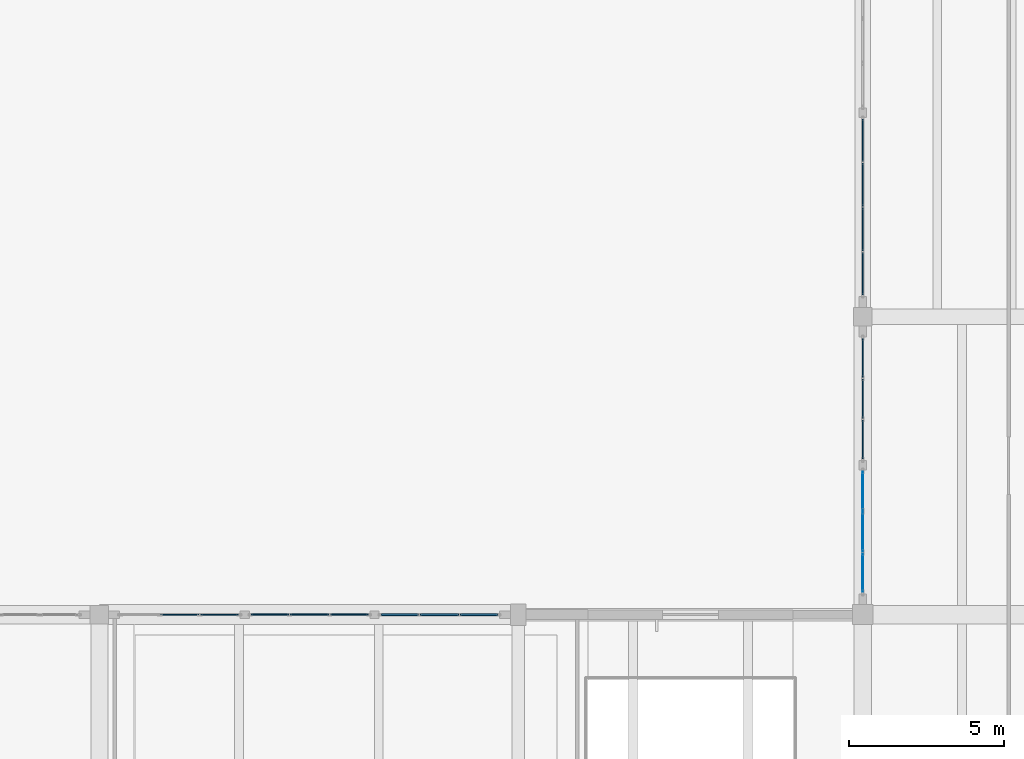
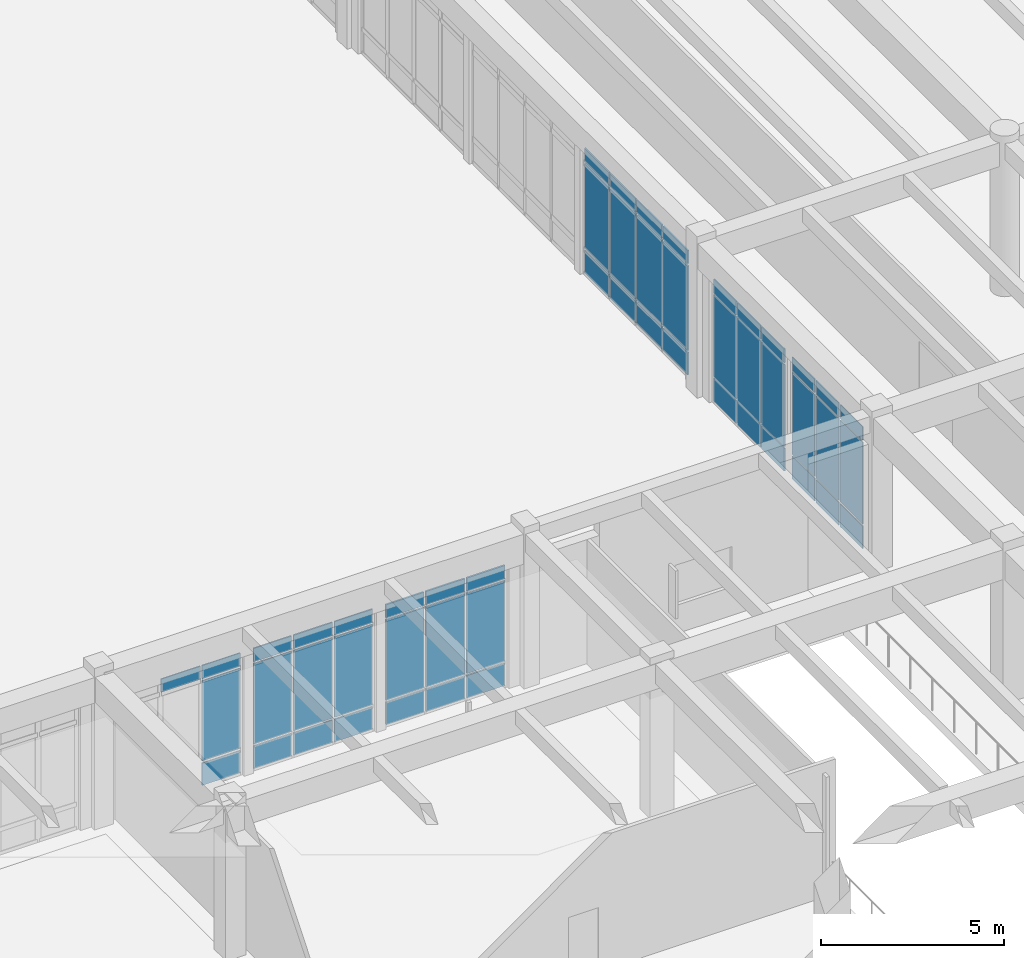
# One storey, part 92 of 138: 52 plates, 6 elements without a shape of their own.
"""IFC4 building model written with IfcOpenShell, lengths in metres."""

import ifcopenshell
import ifcopenshell.guid

model = None  # the IFC model being written
_history = None  # IfcOwnerHistory: only IFC2X3 demands one
_inside = {}  # id of a spatial element -> (the spatial element, [elements in it])
_under = {}  # id of a project, library or spatial element -> (it, [spatial elements below it])
_declared = {}  # id of a project -> (the project, [libraries it declares])
_typed = {}  # id of a type object -> (the type object, [elements of that type])
_made_of = {}  # id of a material, layer set ... -> (it, [elements and type objects made of it])


def new_model(schema):
    """Start an empty IFC model of exactly this schema.

    Asked for "IFC4X3", IfcOpenShell would pick the latest addendum, in which some entities
    have other attributes; the version numbers below select the first issue.
    IFC2X3 requires an IfcOwnerHistory on every rooted entity: one is made here for all.
    """
    global model, _history
    if schema == "IFC4X3":
        model = ifcopenshell.file(schema_version=(4, 3, 0, 0))
    else:
        model = ifcopenshell.file(schema=schema)
    _inside.clear()
    _under.clear()
    _declared.clear()
    _typed.clear()
    _made_of.clear()
    _history = None
    if model.schema == "IFC2X3":
        org = make("IfcOrganization", Name="unknown")
        user = make(
            "IfcPersonAndOrganization",
            ThePerson=make("IfcPerson", FamilyName="unknown"),
            TheOrganization=org,
        )
        app = make(
            "IfcApplication",
            ApplicationDeveloper=org,
            Version="unknown",
            ApplicationFullName="unknown",
            ApplicationIdentifier="unknown",
        )
        _history = make(
            "IfcOwnerHistory",
            OwningUser=user,
            OwningApplication=app,
            ChangeAction="ADDED",
            CreationDate=0,
        )
    return model


def make(cls, **values):
    """One entity of the class cls with the attributes given. An attribute that is None is left unset."""
    return model.create_entity(
        cls, **{name: value for name, value in values.items() if value is not None}
    )


def rooted(cls, **values):
    """An entity with a GlobalId (a new one), such as an element, a storey or a relation."""
    return make(cls, GlobalId=ifcopenshell.guid.new(), OwnerHistory=_history, **values)


def si_unit(unit_type, name, prefix=None):
    """IfcSIUnit, for example si_unit("LENGTHUNIT", "METRE", prefix="MILLI")."""
    return make("IfcSIUnit", UnitType=unit_type, Prefix=prefix, Name=name)


def assignment(units):
    """IfcUnitAssignment: the units of a project."""
    return None if units is None else make("IfcUnitAssignment", Units=units)


def point(xyz):
    """IfcCartesianPoint."""
    return None if xyz is None else make("IfcCartesianPoint", Coordinates=xyz)


def direction(xyz):
    """IfcDirection."""
    return None if xyz is None else make("IfcDirection", DirectionRatios=xyz)


def frame(location, z_axis=None, x_axis=None):
    """IfcAxis2Placement3D, a coordinate frame: its origin and axes. An axis left out is left unset."""
    return make(
        "IfcAxis2Placement3D",
        Location=point(location),
        Axis=direction(z_axis),
        RefDirection=direction(x_axis),
    )


def frame_2d(location, x_axis=None):
    """IfcAxis2Placement2D, a coordinate frame in the plane: its origin and x axis."""
    return make(
        "IfcAxis2Placement2D", Location=point(location), RefDirection=direction(x_axis)
    )


def origin():
    """The frame at (0, 0, 0) with its axes left unset."""
    return frame((0.0, 0.0, 0.0))


def origin_2d():
    """The frame at (0, 0) in the plane with its x axis left unset."""
    return frame_2d((0.0, 0.0))


def place(relative_to, where):
    """IfcLocalPlacement: puts the frame where relative to a parent placement (None: the world)."""
    return make(
        "IfcLocalPlacement", PlacementRelTo=relative_to, RelativePlacement=where
    )


def context(
    kind, dimensions, precision=None, world=None, true_north=None, identifier=None
):
    """IfcGeometricRepresentationContext, for example the 3D "Model" context."""
    return make(
        "IfcGeometricRepresentationContext",
        ContextIdentifier=identifier,
        ContextType=kind,
        CoordinateSpaceDimension=dimensions,
        Precision=precision,
        WorldCoordinateSystem=world,
        TrueNorth=true_north,
    )


def subcontext(parent, identifier, kind, view, scale=None):
    """IfcGeometricRepresentationSubContext, for example "Body" below "Model"."""
    return make(
        "IfcGeometricRepresentationSubContext",
        ContextIdentifier=identifier,
        ContextType=kind,
        ParentContext=parent,
        TargetScale=scale,
        TargetView=view,
    )


def project(units=None, contexts=None):
    """IfcProject with its units and contexts."""
    return rooted(
        "IfcProject",
        Name="project",
        RepresentationContexts=contexts,
        UnitsInContext=assignment(units),
    )


def spatial(cls, under=None, at=None, **own):
    """A site, building, storey or space (cls), placed at a placement, below another one or the project."""
    s = rooted(cls, ObjectPlacement=at, **own)
    if under is not None:
        _under.setdefault(under.id(), (under, []))[1].append(s)
    return s


def profile(cls, at=None, kind="AREA", **sizes):
    """A parametric profile (cls). Its sizes go by their IFC names, for example OverallWidth=200.0."""
    return make(cls, ProfileType=kind, Position=at, **sizes)


def rectangle(**sizes):
    """IfcRectangleProfileDef."""
    return profile("IfcRectangleProfileDef", **sizes)


def extrude(swept, where, along, depth):
    """IfcExtrudedAreaSolid: the profile swept, set in the frame where, extruded along a direction by depth."""
    return make(
        "IfcExtrudedAreaSolid",
        SweptArea=swept,
        Position=where,
        ExtrudedDirection=direction(along),
        Depth=depth,
    )


def shape(context_of_items, identifier, shape_type, items):
    """IfcShapeRepresentation: the items that make up one representation, for example the "Body"."""
    return make(
        "IfcShapeRepresentation",
        ContextOfItems=context_of_items,
        RepresentationIdentifier=identifier,
        RepresentationType=shape_type,
        Items=items,
    )


def material(Name=None, Category=None):
    """IfcMaterial."""
    return make("IfcMaterial", Name=Name, Category=Category)


def layer(
    of_material, thickness, ventilated=None, Name=None, Category=None, Priority=None
):
    """IfcMaterialLayer: one layer of a wall or slab, of a material (None: an air gap)."""
    return make(
        "IfcMaterialLayer",
        Material=of_material,
        LayerThickness=thickness,
        IsVentilated=ventilated,
        Name=Name,
        Category=Category,
        Priority=Priority,
    )


def layer_set(layers, Name=None):
    """IfcMaterialLayerSet."""
    return make("IfcMaterialLayerSet", MaterialLayers=layers, LayerSetName=Name)


def made_of(thing, what):
    """Note that an element or type object is made of a material, layer set ...; save() writes the relation."""
    if what is not None:
        _made_of.setdefault(what.id(), (what, []))[1].append(thing)
    return thing


def type_object(cls, material=None, **own):
    """A type object (cls), such as IfcWallType, which elements share."""
    return made_of(rooted(cls, **own), material)


def element(
    cls,
    number,
    at=None,
    inside=None,
    cuts=None,
    type_object=None,
    material=None,
    context=None,
    identifier="Body",
    shape_type=None,
    held_by="IfcProductDefinitionShape",
    body=None,
    shapes=None,
    **own,
):
    """One element of the class cls, such as IfcWall. Its Tag is "e" and its number.

    at: its placement. inside: the storey or other place that contains it. cuts: it is an
    opening in that element (IfcRelVoidsElement). A single representation is given by context,
    identifier, shape_type and body (its items); several are given by shapes. held_by: the class
    of the entity that holds the representations. save() writes the other relations.
    """
    e = rooted(cls, Tag="e%d" % number, ObjectPlacement=at, **own)
    if body is not None:
        shapes = [shape(context, identifier, shape_type, body)]
    if shapes is not None:
        e.Representation = make(held_by, Representations=shapes)
    if inside is not None:
        _inside.setdefault(inside.id(), (inside, []))[1].append(e)
    if cuts is not None:
        rooted(
            "IfcRelVoidsElement", RelatingBuildingElement=cuts, RelatedOpeningElement=e
        )
    if type_object is not None:
        _typed.setdefault(type_object.id(), (type_object, []))[1].append(e)
    return made_of(e, material)


def aggregate(whole, parts):
    """IfcRelAggregates: a whole, such as a stair, and the parts it consists of."""
    return rooted("IfcRelAggregates", RelatingObject=whole, RelatedObjects=parts)


def save(model, path):
    """Write the relations noted so far, then the file.

    IfcRelAggregates (storeys below a building ...), IfcRelContainedInSpatialStructure (elements
    in a storey), IfcRelDefinesByType, IfcRelAssociatesMaterial and IfcRelDeclares: one each for
    every whole, place, type object, material and project.
    """
    for whole, parts in _under.values():
        aggregate(whole, parts)
    for where, things in _inside.values():
        rooted(
            "IfcRelContainedInSpatialStructure",
            RelatedElements=things,
            RelatingStructure=where,
        )
    for kind, things in _typed.values():
        rooted("IfcRelDefinesByType", RelatedObjects=things, RelatingType=kind)
    for what, things in _made_of.values():
        rooted("IfcRelAssociatesMaterial", RelatedObjects=things, RelatingMaterial=what)
    for by, libraries in _declared.values():
        rooted("IfcRelDeclares", RelatingContext=by, RelatedDefinitions=libraries)
    model.write(path)


model = new_model("IFC4")

# Units and contexts
model_context = context("Model", 3, precision=1e-05, world=origin(), true_north=direction((0.0, 1.0)))
body_context = subcontext(model_context, "Body", "Model", "MODEL_VIEW")
ifc_project = project(units=[si_unit("LENGTHUNIT", "METRE"), si_unit("AREAUNIT", "SQUARE_METRE"), si_unit("VOLUMEUNIT", "CUBIC_METRE"), si_unit("PLANEANGLEUNIT", "RADIAN"), si_unit("MASSUNIT", "GRAM", prefix="KILO")], contexts=[model_context])

# Site, building, storey
site_placement = place(None, origin())
site = spatial("IfcSite", under=ifc_project, at=site_placement, CompositionType="ELEMENT")
building_placement = place(site_placement, origin())
building = spatial("IfcBuilding", under=site, at=building_placement, Name="Fikremerkos Civic Library", CompositionType="ELEMENT")
storey_placement = place(building_placement, origin())
storey = spatial("IfcBuildingStorey", under=building, at=storey_placement, Name="L00", CompositionType="ELEMENT", Elevation=0.0)

# Curtain wall, plates
ifc_material_1 = material(Name="Anodized aluminium Frame", Category="aluminium")
ifc_layer_1 = layer(ifc_material_1, 0.159912109375, Name="Anodized aluminium Frame")
ifc_layer_set_1 = layer_set([ifc_layer_1], Name="Anodized aluminium Frame")
curtain_wall_type_1 = type_object("IfcCurtainWallType", Name="Unitised curtain wall CW-05 3800x4100", PredefinedType="USERDEFINED", material=ifc_layer_set_1)
curtain_wall_1_placement = place(storey_placement, origin())
curtain_wall_1 = element("IfcCurtainWall", 1, at=curtain_wall_1_placement, inside=storey, type_object=curtain_wall_type_1, Name="Unitised curtain wall CW-05 L00 #23", ObjectType="UNITISED CURTAIN WALL", PredefinedType="USERDEFINED")
ifc_material_2 = material(Name="Solar control double glazing", Category="glass")
ifc_layer_2 = layer(ifc_material_2, 0.028076171875, Name="Solar control double glazing")
ifc_layer_set_2 = layer_set([ifc_layer_2], Name="Solar control double glazing")
plate_type_1 = type_object("IfcPlateType", Name="Curtain glazing panel CWP-01 28", PredefinedType="CURTAIN_PANEL", material=ifc_layer_set_2)
plate_1_placement = place(storey_placement, frame((124.800048828125, 49.354248046875, 0.06005859375), z_axis=(0.0, 0.0, 1.0), x_axis=(0.0, 1.0, 0.0)))
plate_1 = element("IfcPlate", 2, at=plate_1_placement, type_object=plate_type_1, Name="CW-05 panel 1.1", PredefinedType="CURTAIN_PANEL", context=body_context, shape_type="SweptSolid", body=[
    extrude(rectangle(XDim=1.232421875, YDim=0.028076171875, at=origin_2d()), origin(), (0.0, 0.0, 1.0), 0.760009765625),
])
plate_2_placement = place(storey_placement, frame((124.800048828125, 49.354248046875, 0.8798828125), z_axis=(0.0, 0.0, 1.0), x_axis=(0.0, 1.0, 0.0)))
plate_2 = element("IfcPlate", 3, at=plate_2_placement, type_object=plate_type_1, Name="CW-05 panel 1.2", PredefinedType="CURTAIN_PANEL", context=body_context, shape_type="SweptSolid", body=[
    extrude(rectangle(XDim=1.232421875, YDim=0.028076171875, at=origin_2d()), origin(), (0.0, 0.0, 1.0), 2.739990234375),
])
plate_3_placement = place(storey_placement, frame((124.800048828125, 49.354248046875, 3.679931640625), z_axis=(0.0, 0.0, 1.0), x_axis=(0.0, 1.0, 0.0)))
plate_3 = element("IfcPlate", 4, at=plate_3_placement, type_object=plate_type_1, Name="CW-05 panel 1.3", PredefinedType="CURTAIN_PANEL", context=body_context, shape_type="SweptSolid", body=[
    extrude(rectangle(XDim=1.232421875, YDim=0.028076171875, at=origin_2d()), origin(), (0.0, 0.0, 1.0), 0.4599609375),
])
plate_4_placement = place(storey_placement, frame((124.800048828125, 50.667724609375, 0.06005859375), z_axis=(0.0, 0.0, 1.0), x_axis=(0.0, 1.0, 0.0)))
plate_4 = element("IfcPlate", 5, at=plate_4_placement, type_object=plate_type_1, Name="CW-05 panel 2.1", PredefinedType="CURTAIN_PANEL", context=body_context, shape_type="SweptSolid", body=[
    extrude(rectangle(XDim=1.264892578125, YDim=0.028076171875, at=origin_2d()), origin(), (0.0, 0.0, 1.0), 0.760009765625),
])
plate_5_placement = place(storey_placement, frame((124.800048828125, 50.667724609375, 0.8798828125), z_axis=(0.0, 0.0, 1.0), x_axis=(0.0, 1.0, 0.0)))
plate_5 = element("IfcPlate", 6, at=plate_5_placement, type_object=plate_type_1, Name="CW-05 panel 2.2", PredefinedType="CURTAIN_PANEL", context=body_context, shape_type="SweptSolid", body=[
    extrude(rectangle(XDim=1.264892578125, YDim=0.028076171875, at=origin_2d()), origin(), (0.0, 0.0, 1.0), 2.739990234375),
])
plate_6_placement = place(storey_placement, frame((124.800048828125, 50.667724609375, 3.679931640625), z_axis=(0.0, 0.0, 1.0), x_axis=(0.0, 1.0, 0.0)))
plate_6 = element("IfcPlate", 7, at=plate_6_placement, type_object=plate_type_1, Name="CW-05 panel 2.3", PredefinedType="CURTAIN_PANEL", context=body_context, shape_type="SweptSolid", body=[
    extrude(rectangle(XDim=1.264892578125, YDim=0.028076171875, at=origin_2d()), origin(), (0.0, 0.0, 1.0), 0.4599609375),
])
plate_7_placement = place(storey_placement, frame((124.800048828125, 51.9814453125, 0.06005859375), z_axis=(0.0, 0.0, 1.0), x_axis=(0.0, 1.0, 0.0)))
plate_7 = element("IfcPlate", 8, at=plate_7_placement, type_object=plate_type_1, Name="CW-05 panel 3.1", PredefinedType="CURTAIN_PANEL", context=body_context, shape_type="SweptSolid", body=[
    extrude(rectangle(XDim=1.232421875, YDim=0.028076171875, at=origin_2d()), origin(), (0.0, 0.0, 1.0), 0.760009765625),
])
plate_8_placement = place(storey_placement, frame((124.800048828125, 51.9814453125, 0.8798828125), z_axis=(0.0, 0.0, 1.0), x_axis=(0.0, 1.0, 0.0)))
plate_8 = element("IfcPlate", 9, at=plate_8_placement, type_object=plate_type_1, Name="CW-05 panel 3.2", PredefinedType="CURTAIN_PANEL", context=body_context, shape_type="SweptSolid", body=[
    extrude(rectangle(XDim=1.232421875, YDim=0.028076171875, at=origin_2d()), origin(), (0.0, 0.0, 1.0), 2.739990234375),
])
plate_9_placement = place(storey_placement, frame((124.800048828125, 51.9814453125, 3.679931640625), z_axis=(0.0, 0.0, 1.0), x_axis=(0.0, 1.0, 0.0)))
plate_9 = element("IfcPlate", 10, at=plate_9_placement, type_object=plate_type_1, Name="CW-05 panel 3.3", PredefinedType="CURTAIN_PANEL", context=body_context, shape_type="SweptSolid", body=[
    extrude(rectangle(XDim=1.232421875, YDim=0.028076171875, at=origin_2d()), origin(), (0.0, 0.0, 1.0), 0.4599609375),
])
aggregate(curtain_wall_1, [plate_1, plate_2, plate_3, plate_4, plate_5, plate_6, plate_7, plate_8, plate_9])

ifc_layer_3 = layer(ifc_material_1, 0.159912109375, Name="Anodized aluminium Frame")
ifc_layer_set_3 = layer_set([ifc_layer_3], Name="Anodized aluminium Frame")
curtain_wall_type_2 = type_object("IfcCurtainWallType", Name="Unitised curtain wall CW-02 3900x3600", PredefinedType="USERDEFINED", material=ifc_layer_set_3)
curtain_wall_2_placement = place(storey_placement, origin())
curtain_wall_2 = element("IfcCurtainWall", 11, at=curtain_wall_2_placement, inside=storey, type_object=curtain_wall_type_2, Name="Unitised curtain wall CW-02 L00 #20", ObjectType="UNITISED CURTAIN WALL", PredefinedType="USERDEFINED")
ifc_layer_4 = layer(ifc_material_2, 0.035888671875, Name="Solar control double glazing")
ifc_layer_set_4 = layer_set([ifc_layer_4], Name="Solar control double glazing")
plate_type_2 = type_object("IfcPlateType", Name="Curtain glazing panel CWP-02 36", PredefinedType="CURTAIN_PANEL", material=ifc_layer_set_4)
plate_10_placement = place(storey_placement, frame((102.790283203125, 48.0, 3.634765625), z_axis=(0.0, 0.0, 1.0), x_axis=(1.0, 0.0, 0.0)))
plate_10 = element("IfcPlate", 12, at=plate_10_placement, type_object=plate_type_2, Name="CW-02 panel 2.3", PredefinedType="CURTAIN_PANEL", context=body_context, shape_type="SweptSolid", body=[
    extrude(rectangle(XDim=1.23486328125, YDim=0.035888671875, at=origin_2d()), origin(), (0.0, 0.0, 1.0), 0.445068359375),
])
plate_11_placement = place(storey_placement, frame((104.0703125, 48.0, 0.06982421875), z_axis=(0.0, 0.0, 1.0), x_axis=(1.0, 0.0, 0.0)))
plate_11 = element("IfcPlate", 13, at=plate_11_placement, type_object=plate_type_2, Name="CW-02 panel 3.1", PredefinedType="CURTAIN_PANEL", context=body_context, shape_type="SweptSolid", body=[
    extrude(rectangle(XDim=1.204833984375, YDim=0.035888671875, at=origin_2d()), origin(), (0.0, 0.0, 1.0), 0.7451171875),
])
plate_12_placement = place(storey_placement, frame((104.0703125, 48.0, 0.88525390625), z_axis=(0.0, 0.0, 1.0), x_axis=(1.0, 0.0, 0.0)))
plate_12 = element("IfcPlate", 14, at=plate_12_placement, type_object=plate_type_2, Name="CW-02 panel 3.2", PredefinedType="CURTAIN_PANEL", context=body_context, shape_type="SweptSolid", body=[
    extrude(rectangle(XDim=1.204833984375, YDim=0.035888671875, at=origin_2d()), origin(), (0.0, 0.0, 1.0), 2.679931640625),
])
plate_13_placement = place(storey_placement, frame((104.0703125, 48.0, 3.634765625), z_axis=(0.0, 0.0, 1.0), x_axis=(1.0, 0.0, 0.0)))
plate_13 = element("IfcPlate", 15, at=plate_13_placement, type_object=plate_type_2, Name="CW-02 panel 3.3", PredefinedType="CURTAIN_PANEL", context=body_context, shape_type="SweptSolid", body=[
    extrude(rectangle(XDim=1.204833984375, YDim=0.035888671875, at=origin_2d()), origin(), (0.0, 0.0, 1.0), 0.445068359375),
])
aggregate(curtain_wall_2, [plate_10, plate_11, plate_12, plate_13])

ifc_layer_5 = layer(ifc_material_1, 0.159912109375, Name="Anodized aluminium Frame")
ifc_layer_set_5 = layer_set([ifc_layer_5], Name="Anodized aluminium Frame")
curtain_wall_type_3 = type_object("IfcCurtainWallType", Name="Unitised curtain wall CW-06 4200x4100", PredefinedType="USERDEFINED", material=ifc_layer_set_5)
curtain_wall_3_placement = place(storey_placement, origin())
curtain_wall_3 = element("IfcCurtainWall", 16, at=curtain_wall_3_placement, inside=storey, type_object=curtain_wall_type_3, Name="Unitised curtain wall CW-06 L00 #24", ObjectType="UNITISED CURTAIN WALL", PredefinedType="USERDEFINED")
plate_14_placement = place(storey_placement, frame((124.800048828125, 53.642333984375, 0.06005859375), z_axis=(0.0, 0.0, 1.0), x_axis=(0.0, 1.0, 0.0)))
plate_14 = element("IfcPlate", 17, at=plate_14_placement, type_object=plate_type_2, Name="CW-06 panel 1.1", PredefinedType="CURTAIN_PANEL", context=body_context, shape_type="SweptSolid", body=[
    extrude(rectangle(XDim=1.23974609375, YDim=0.035888671875, at=origin_2d()), origin(), (0.0, 0.0, 1.0), 0.760009765625),
])
plate_15_placement = place(storey_placement, frame((124.800048828125, 53.642333984375, 0.8798828125), z_axis=(0.0, 0.0, 1.0), x_axis=(0.0, 1.0, 0.0)))
plate_15 = element("IfcPlate", 18, at=plate_15_placement, type_object=plate_type_2, Name="CW-06 panel 1.2", PredefinedType="CURTAIN_PANEL", context=body_context, shape_type="SweptSolid", body=[
    extrude(rectangle(XDim=1.23974609375, YDim=0.035888671875, at=origin_2d()), origin(), (0.0, 0.0, 1.0), 2.739990234375),
])
plate_16_placement = place(storey_placement, frame((124.800048828125, 53.642333984375, 3.679931640625), z_axis=(0.0, 0.0, 1.0), x_axis=(0.0, 1.0, 0.0)))
plate_16 = element("IfcPlate", 19, at=plate_16_placement, type_object=plate_type_2, Name="CW-06 panel 1.3", PredefinedType="CURTAIN_PANEL", context=body_context, shape_type="SweptSolid", body=[
    extrude(rectangle(XDim=1.23974609375, YDim=0.035888671875, at=origin_2d()), origin(), (0.0, 0.0, 1.0), 0.4599609375),
])
plate_17_placement = place(storey_placement, frame((124.800048828125, 54.957275390625, 0.06005859375), z_axis=(0.0, 0.0, 1.0), x_axis=(0.0, 1.0, 0.0)))
plate_17 = element("IfcPlate", 20, at=plate_17_placement, type_object=plate_type_2, Name="CW-06 panel 2.1", PredefinedType="CURTAIN_PANEL", context=body_context, shape_type="SweptSolid", body=[
    extrude(rectangle(XDim=1.269775390625, YDim=0.035888671875, at=origin_2d()), origin(), (0.0, 0.0, 1.0), 0.760009765625),
])
plate_18_placement = place(storey_placement, frame((124.800048828125, 54.957275390625, 0.8798828125), z_axis=(0.0, 0.0, 1.0), x_axis=(0.0, 1.0, 0.0)))
plate_18 = element("IfcPlate", 21, at=plate_18_placement, type_object=plate_type_2, Name="CW-06 panel 2.2", PredefinedType="CURTAIN_PANEL", context=body_context, shape_type="SweptSolid", body=[
    extrude(rectangle(XDim=1.269775390625, YDim=0.035888671875, at=origin_2d()), origin(), (0.0, 0.0, 1.0), 2.739990234375),
])
plate_19_placement = place(storey_placement, frame((124.800048828125, 54.957275390625, 3.679931640625), z_axis=(0.0, 0.0, 1.0), x_axis=(0.0, 1.0, 0.0)))
plate_19 = element("IfcPlate", 22, at=plate_19_placement, type_object=plate_type_2, Name="CW-06 panel 2.3", PredefinedType="CURTAIN_PANEL", context=body_context, shape_type="SweptSolid", body=[
    extrude(rectangle(XDim=1.269775390625, YDim=0.035888671875, at=origin_2d()), origin(), (0.0, 0.0, 1.0), 0.4599609375),
])
plate_20_placement = place(storey_placement, frame((124.800048828125, 56.27197265625, 0.06005859375), z_axis=(0.0, 0.0, 1.0), x_axis=(0.0, 1.0, 0.0)))
plate_20 = element("IfcPlate", 23, at=plate_20_placement, type_object=plate_type_2, Name="CW-06 panel 3.1", PredefinedType="CURTAIN_PANEL", context=body_context, shape_type="SweptSolid", body=[
    extrude(rectangle(XDim=1.23974609375, YDim=0.035888671875, at=origin_2d()), origin(), (0.0, 0.0, 1.0), 0.760009765625),
])
plate_21_placement = place(storey_placement, frame((124.800048828125, 56.27197265625, 0.8798828125), z_axis=(0.0, 0.0, 1.0), x_axis=(0.0, 1.0, 0.0)))
plate_21 = element("IfcPlate", 24, at=plate_21_placement, type_object=plate_type_2, Name="CW-06 panel 3.2", PredefinedType="CURTAIN_PANEL", context=body_context, shape_type="SweptSolid", body=[
    extrude(rectangle(XDim=1.23974609375, YDim=0.035888671875, at=origin_2d()), origin(), (0.0, 0.0, 1.0), 2.739990234375),
])
plate_22_placement = place(storey_placement, frame((124.800048828125, 56.27197265625, 3.679931640625), z_axis=(0.0, 0.0, 1.0), x_axis=(0.0, 1.0, 0.0)))
plate_22 = element("IfcPlate", 25, at=plate_22_placement, type_object=plate_type_2, Name="CW-06 panel 3.3", PredefinedType="CURTAIN_PANEL", context=body_context, shape_type="SweptSolid", body=[
    extrude(rectangle(XDim=1.23974609375, YDim=0.035888671875, at=origin_2d()), origin(), (0.0, 0.0, 1.0), 0.4599609375),
])
aggregate(curtain_wall_3, [plate_14, plate_15, plate_16, plate_17, plate_18, plate_19, plate_20, plate_21, plate_22])

ifc_layer_6 = layer(ifc_material_1, 0.159912109375, Name="Anodized aluminium Frame")
ifc_layer_set_6 = layer_set([ifc_layer_6], Name="Anodized aluminium Frame")
curtain_wall_type_4 = type_object("IfcCurtainWallType", Name="Unitised curtain wall CW-03 4100x3600", PredefinedType="USERDEFINED", material=ifc_layer_set_6)
curtain_wall_4_placement = place(storey_placement, origin())
curtain_wall_4 = element("IfcCurtainWall", 26, at=curtain_wall_4_placement, inside=storey, type_object=curtain_wall_type_4, Name="Unitised curtain wall CW-03 L00 #21", ObjectType="UNITISED CURTAIN WALL", PredefinedType="USERDEFINED")
ifc_material_3 = material(Name="Insulated aluminium spandrel", Category="aluminium")
ifc_layer_7 = layer(ifc_material_3, 0.044921875, Name="Insulated aluminium spandrel")
ifc_layer_set_7 = layer_set([ifc_layer_7], Name="Insulated aluminium spandrel")
plate_type_3 = type_object("IfcPlateType", Name="Curtain spandrel panel CSP-01 45", PredefinedType="CURTAIN_PANEL", material=ifc_layer_set_7)
plate_23_placement = place(storey_placement, frame((105.695068359375, 48.0, 0.06494140625), z_axis=(0.0, 0.0, 1.0), x_axis=(1.0, 0.0, 0.0)))
plate_23 = element("IfcPlate", 27, at=plate_23_placement, type_object=plate_type_3, Name="CW-03 panel 1.1", PredefinedType="CURTAIN_PANEL", context=body_context, shape_type="SweptSolid", body=[
    extrude(rectangle(XDim=1.204833984375, YDim=0.044921875, at=origin_2d()), origin(), (0.0, 0.0, 1.0), 0.75244140625),
])
plate_24_placement = place(storey_placement, frame((105.695068359375, 48.0, 0.882568359375), z_axis=(0.0, 0.0, 1.0), x_axis=(1.0, 0.0, 0.0)))
plate_24 = element("IfcPlate", 28, at=plate_24_placement, type_object=plate_type_3, Name="CW-03 panel 1.2", PredefinedType="CURTAIN_PANEL", context=body_context, shape_type="SweptSolid", body=[
    extrude(rectangle(XDim=1.204833984375, YDim=0.044921875, at=origin_2d()), origin(), (0.0, 0.0, 1.0), 2.68505859375),
])
plate_25_placement = place(storey_placement, frame((105.695068359375, 48.0, 3.63232421875), z_axis=(0.0, 0.0, 1.0), x_axis=(1.0, 0.0, 0.0)))
plate_25 = element("IfcPlate", 29, at=plate_25_placement, type_object=plate_type_3, Name="CW-03 panel 1.3", PredefinedType="CURTAIN_PANEL", context=body_context, shape_type="SweptSolid", body=[
    extrude(rectangle(XDim=1.204833984375, YDim=0.044921875, at=origin_2d()), origin(), (0.0, 0.0, 1.0), 0.452392578125),
])
plate_26_placement = place(storey_placement, frame((106.97509765625, 48.0, 0.06494140625), z_axis=(0.0, 0.0, 1.0), x_axis=(1.0, 0.0, 0.0)))
plate_26 = element("IfcPlate", 30, at=plate_26_placement, type_object=plate_type_3, Name="CW-03 panel 2.1", PredefinedType="CURTAIN_PANEL", context=body_context, shape_type="SweptSolid", body=[
    extrude(rectangle(XDim=1.23486328125, YDim=0.044921875, at=origin_2d()), origin(), (0.0, 0.0, 1.0), 0.75244140625),
])
plate_27_placement = place(storey_placement, frame((106.97509765625, 48.0, 0.882568359375), z_axis=(0.0, 0.0, 1.0), x_axis=(1.0, 0.0, 0.0)))
plate_27 = element("IfcPlate", 31, at=plate_27_placement, type_object=plate_type_3, Name="CW-03 panel 2.2", PredefinedType="CURTAIN_PANEL", context=body_context, shape_type="SweptSolid", body=[
    extrude(rectangle(XDim=1.23486328125, YDim=0.044921875, at=origin_2d()), origin(), (0.0, 0.0, 1.0), 2.68505859375),
])
plate_28_placement = place(storey_placement, frame((106.97509765625, 48.0, 3.63232421875), z_axis=(0.0, 0.0, 1.0), x_axis=(1.0, 0.0, 0.0)))
plate_28 = element("IfcPlate", 32, at=plate_28_placement, type_object=plate_type_3, Name="CW-03 panel 2.3", PredefinedType="CURTAIN_PANEL", context=body_context, shape_type="SweptSolid", body=[
    extrude(rectangle(XDim=1.23486328125, YDim=0.044921875, at=origin_2d()), origin(), (0.0, 0.0, 1.0), 0.452392578125),
])
plate_29_placement = place(storey_placement, frame((108.2548828125, 48.0, 0.06494140625), z_axis=(0.0, 0.0, 1.0), x_axis=(1.0, 0.0, 0.0)))
plate_29 = element("IfcPlate", 33, at=plate_29_placement, type_object=plate_type_3, Name="CW-03 panel 3.1", PredefinedType="CURTAIN_PANEL", context=body_context, shape_type="SweptSolid", body=[
    extrude(rectangle(XDim=1.204833984375, YDim=0.044921875, at=origin_2d()), origin(), (0.0, 0.0, 1.0), 0.75244140625),
])
plate_30_placement = place(storey_placement, frame((108.2548828125, 48.0, 0.882568359375), z_axis=(0.0, 0.0, 1.0), x_axis=(1.0, 0.0, 0.0)))
plate_30 = element("IfcPlate", 34, at=plate_30_placement, type_object=plate_type_3, Name="CW-03 panel 3.2", PredefinedType="CURTAIN_PANEL", context=body_context, shape_type="SweptSolid", body=[
    extrude(rectangle(XDim=1.204833984375, YDim=0.044921875, at=origin_2d()), origin(), (0.0, 0.0, 1.0), 2.68505859375),
])
plate_31_placement = place(storey_placement, frame((108.2548828125, 48.0, 3.63232421875), z_axis=(0.0, 0.0, 1.0), x_axis=(1.0, 0.0, 0.0)))
plate_31 = element("IfcPlate", 35, at=plate_31_placement, type_object=plate_type_3, Name="CW-03 panel 3.3", PredefinedType="CURTAIN_PANEL", context=body_context, shape_type="SweptSolid", body=[
    extrude(rectangle(XDim=1.204833984375, YDim=0.044921875, at=origin_2d()), origin(), (0.0, 0.0, 1.0), 0.452392578125),
])
aggregate(curtain_wall_4, [plate_23, plate_24, plate_25, plate_26, plate_27, plate_28, plate_29, plate_30, plate_31])

ifc_layer_8 = layer(ifc_material_1, 0.159912109375, Name="Anodized aluminium Frame")
ifc_layer_set_8 = layer_set([ifc_layer_8], Name="Anodized aluminium Frame")
curtain_wall_type_5 = type_object("IfcCurtainWallType", Name="Unitised curtain wall CW-07 3500x4100", PredefinedType="USERDEFINED", material=ifc_layer_set_8)
curtain_wall_5_placement = place(storey_placement, origin())
curtain_wall_5 = element("IfcCurtainWall", 36, at=curtain_wall_5_placement, inside=storey, type_object=curtain_wall_type_5, Name="Unitised curtain wall CW-07 L00 #25", ObjectType="UNITISED CURTAIN WALL", PredefinedType="USERDEFINED")
plate_32_placement = place(storey_placement, frame((124.800048828125, 58.985107421875, 0.06982421875), z_axis=(0.0, 0.0, 1.0), x_axis=(0.0, 1.0, 0.0)))
plate_32 = element("IfcPlate", 37, at=plate_32_placement, type_object=plate_type_3, Name="CW-07 panel 1.1", PredefinedType="CURTAIN_PANEL", context=body_context, shape_type="SweptSolid", body=[
    extrude(rectangle(XDim=1.35400390625, YDim=0.044921875, at=origin_2d()), origin(), (0.0, 0.0, 1.0), 0.7451171875),
])
plate_33_placement = place(storey_placement, frame((124.800048828125, 58.985107421875, 0.885009765625), z_axis=(0.0, 0.0, 1.0), x_axis=(0.0, 1.0, 0.0)))
plate_33 = element("IfcPlate", 38, at=plate_33_placement, type_object=plate_type_3, Name="CW-07 panel 1.2", PredefinedType="CURTAIN_PANEL", context=body_context, shape_type="SweptSolid", body=[
    extrude(rectangle(XDim=1.35400390625, YDim=0.044921875, at=origin_2d()), origin(), (0.0, 0.0, 1.0), 2.830078125),
])
plate_34_placement = place(storey_placement, frame((124.800048828125, 58.985107421875, 3.78515625), z_axis=(0.0, 0.0, 1.0), x_axis=(0.0, 1.0, 0.0)))
plate_34 = element("IfcPlate", 39, at=plate_34_placement, type_object=plate_type_3, Name="CW-07 panel 1.3", PredefinedType="CURTAIN_PANEL", context=body_context, shape_type="SweptSolid", body=[
    extrude(rectangle(XDim=1.35400390625, YDim=0.044921875, at=origin_2d()), origin(), (0.0, 0.0, 1.0), 0.445068359375),
])
plate_35_placement = place(storey_placement, frame((124.800048828125, 60.4140625, 0.06982421875), z_axis=(0.0, 0.0, 1.0), x_axis=(0.0, 1.0, 0.0)))
plate_35 = element("IfcPlate", 40, at=plate_35_placement, type_object=plate_type_3, Name="CW-07 panel 2.1", PredefinedType="CURTAIN_PANEL", context=body_context, shape_type="SweptSolid", body=[
    extrude(rectangle(XDim=1.384033203125, YDim=0.044921875, at=origin_2d()), origin(), (0.0, 0.0, 1.0), 0.7451171875),
])
plate_36_placement = place(storey_placement, frame((124.800048828125, 60.4140625, 0.885009765625), z_axis=(0.0, 0.0, 1.0), x_axis=(0.0, 1.0, 0.0)))
plate_36 = element("IfcPlate", 41, at=plate_36_placement, type_object=plate_type_3, Name="CW-07 panel 2.2", PredefinedType="CURTAIN_PANEL", context=body_context, shape_type="SweptSolid", body=[
    extrude(rectangle(XDim=1.384033203125, YDim=0.044921875, at=origin_2d()), origin(), (0.0, 0.0, 1.0), 2.830078125),
])
plate_37_placement = place(storey_placement, frame((124.800048828125, 60.4140625, 3.78515625), z_axis=(0.0, 0.0, 1.0), x_axis=(0.0, 1.0, 0.0)))
plate_37 = element("IfcPlate", 42, at=plate_37_placement, type_object=plate_type_3, Name="CW-07 panel 2.3", PredefinedType="CURTAIN_PANEL", context=body_context, shape_type="SweptSolid", body=[
    extrude(rectangle(XDim=1.384033203125, YDim=0.044921875, at=origin_2d()), origin(), (0.0, 0.0, 1.0), 0.445068359375),
])
plate_38_placement = place(storey_placement, frame((124.800048828125, 61.858154296875, 0.06982421875), z_axis=(0.0, 0.0, 1.0), x_axis=(0.0, 1.0, 0.0)))
plate_38 = element("IfcPlate", 43, at=plate_38_placement, type_object=plate_type_3, Name="CW-07 panel 3.1", PredefinedType="CURTAIN_PANEL", context=body_context, shape_type="SweptSolid", body=[
    extrude(rectangle(XDim=1.384033203125, YDim=0.044921875, at=origin_2d()), origin(), (0.0, 0.0, 1.0), 0.7451171875),
])
plate_39_placement = place(storey_placement, frame((124.800048828125, 61.858154296875, 0.885009765625), z_axis=(0.0, 0.0, 1.0), x_axis=(0.0, 1.0, 0.0)))
plate_39 = element("IfcPlate", 44, at=plate_39_placement, type_object=plate_type_3, Name="CW-07 panel 3.2", PredefinedType="CURTAIN_PANEL", context=body_context, shape_type="SweptSolid", body=[
    extrude(rectangle(XDim=1.384033203125, YDim=0.044921875, at=origin_2d()), origin(), (0.0, 0.0, 1.0), 2.830078125),
])
plate_40_placement = place(storey_placement, frame((124.800048828125, 61.858154296875, 3.78515625), z_axis=(0.0, 0.0, 1.0), x_axis=(0.0, 1.0, 0.0)))
plate_40 = element("IfcPlate", 45, at=plate_40_placement, type_object=plate_type_3, Name="CW-07 panel 3.3", PredefinedType="CURTAIN_PANEL", context=body_context, shape_type="SweptSolid", body=[
    extrude(rectangle(XDim=1.384033203125, YDim=0.044921875, at=origin_2d()), origin(), (0.0, 0.0, 1.0), 0.445068359375),
])
plate_41_placement = place(storey_placement, frame((124.800048828125, 63.287353515625, 0.06982421875), z_axis=(0.0, 0.0, 1.0), x_axis=(0.0, 1.0, 0.0)))
plate_41 = element("IfcPlate", 46, at=plate_41_placement, type_object=plate_type_3, Name="CW-07 panel 4.1", PredefinedType="CURTAIN_PANEL", context=body_context, shape_type="SweptSolid", body=[
    extrude(rectangle(XDim=1.35400390625, YDim=0.044921875, at=origin_2d()), origin(), (0.0, 0.0, 1.0), 0.7451171875),
])
plate_42_placement = place(storey_placement, frame((124.800048828125, 63.287353515625, 0.885009765625), z_axis=(0.0, 0.0, 1.0), x_axis=(0.0, 1.0, 0.0)))
plate_42 = element("IfcPlate", 47, at=plate_42_placement, type_object=plate_type_3, Name="CW-07 panel 4.2", PredefinedType="CURTAIN_PANEL", context=body_context, shape_type="SweptSolid", body=[
    extrude(rectangle(XDim=1.35400390625, YDim=0.044921875, at=origin_2d()), origin(), (0.0, 0.0, 1.0), 2.830078125),
])
plate_43_placement = place(storey_placement, frame((124.800048828125, 63.287353515625, 3.78515625), z_axis=(0.0, 0.0, 1.0), x_axis=(0.0, 1.0, 0.0)))
plate_43 = element("IfcPlate", 48, at=plate_43_placement, type_object=plate_type_3, Name="CW-07 panel 4.3", PredefinedType="CURTAIN_PANEL", context=body_context, shape_type="SweptSolid", body=[
    extrude(rectangle(XDim=1.35400390625, YDim=0.044921875, at=origin_2d()), origin(), (0.0, 0.0, 1.0), 0.445068359375),
])
aggregate(curtain_wall_5, [plate_32, plate_33, plate_34, plate_35, plate_36, plate_37, plate_38, plate_39, plate_40, plate_41, plate_42, plate_43])

ifc_layer_9 = layer(ifc_material_1, 0.159912109375, Name="Anodized aluminium Frame")
ifc_layer_set_9 = layer_set([ifc_layer_9], Name="Anodized aluminium Frame")
curtain_wall_type_6 = type_object("IfcCurtainWallType", Name="Unitised curtain wall CW-04 3400x3600", PredefinedType="USERDEFINED", material=ifc_layer_set_9)
curtain_wall_6_placement = place(storey_placement, origin())
curtain_wall_6 = element("IfcCurtainWall", 49, at=curtain_wall_6_placement, inside=storey, type_object=curtain_wall_type_6, Name="Unitised curtain wall CW-04 L00 #22", ObjectType="UNITISED CURTAIN WALL", PredefinedType="USERDEFINED")
ifc_layer_10 = layer(ifc_material_3, 0.054931640625, Name="Insulated aluminium spandrel")
ifc_layer_set_10 = layer_set([ifc_layer_10], Name="Insulated aluminium spandrel")
plate_type_4 = type_object("IfcPlateType", Name="Curtain spandrel panel CSP-02 55", PredefinedType="CURTAIN_PANEL", material=ifc_layer_set_10)
plate_44_placement = place(storey_placement, frame((109.8798828125, 48.0, 0.06494140625), z_axis=(0.0, 0.0, 1.0), x_axis=(1.0, 0.0, 0.0)))
plate_44 = element("IfcPlate", 50, at=plate_44_placement, type_object=plate_type_4, Name="CW-04 panel 1.1", PredefinedType="CURTAIN_PANEL", context=body_context, shape_type="SweptSolid", body=[
    extrude(rectangle(XDim=1.204833984375, YDim=0.054931640625, at=origin_2d()), origin(), (0.0, 0.0, 1.0), 0.75244140625),
])
plate_45_placement = place(storey_placement, frame((109.8798828125, 48.0, 0.882568359375), z_axis=(0.0, 0.0, 1.0), x_axis=(1.0, 0.0, 0.0)))
plate_45 = element("IfcPlate", 51, at=plate_45_placement, type_object=plate_type_4, Name="CW-04 panel 1.2", PredefinedType="CURTAIN_PANEL", context=body_context, shape_type="SweptSolid", body=[
    extrude(rectangle(XDim=1.204833984375, YDim=0.054931640625, at=origin_2d()), origin(), (0.0, 0.0, 1.0), 2.68505859375),
])
plate_46_placement = place(storey_placement, frame((109.8798828125, 48.0, 3.63232421875), z_axis=(0.0, 0.0, 1.0), x_axis=(1.0, 0.0, 0.0)))
plate_46 = element("IfcPlate", 52, at=plate_46_placement, type_object=plate_type_4, Name="CW-04 panel 1.3", PredefinedType="CURTAIN_PANEL", context=body_context, shape_type="SweptSolid", body=[
    extrude(rectangle(XDim=1.204833984375, YDim=0.054931640625, at=origin_2d()), origin(), (0.0, 0.0, 1.0), 0.452392578125),
])
plate_47_placement = place(storey_placement, frame((111.15966796875, 48.0, 0.06494140625), z_axis=(0.0, 0.0, 1.0), x_axis=(1.0, 0.0, 0.0)))
plate_47 = element("IfcPlate", 53, at=plate_47_placement, type_object=plate_type_4, Name="CW-04 panel 2.1", PredefinedType="CURTAIN_PANEL", context=body_context, shape_type="SweptSolid", body=[
    extrude(rectangle(XDim=1.23486328125, YDim=0.054931640625, at=origin_2d()), origin(), (0.0, 0.0, 1.0), 0.75244140625),
])
plate_48_placement = place(storey_placement, frame((111.15966796875, 48.0, 0.882568359375), z_axis=(0.0, 0.0, 1.0), x_axis=(1.0, 0.0, 0.0)))
plate_48 = element("IfcPlate", 54, at=plate_48_placement, type_object=plate_type_4, Name="CW-04 panel 2.2", PredefinedType="CURTAIN_PANEL", context=body_context, shape_type="SweptSolid", body=[
    extrude(rectangle(XDim=1.23486328125, YDim=0.054931640625, at=origin_2d()), origin(), (0.0, 0.0, 1.0), 2.68505859375),
])
plate_49_placement = place(storey_placement, frame((111.15966796875, 48.0, 3.63232421875), z_axis=(0.0, 0.0, 1.0), x_axis=(1.0, 0.0, 0.0)))
plate_49 = element("IfcPlate", 55, at=plate_49_placement, type_object=plate_type_4, Name="CW-04 panel 2.3", PredefinedType="CURTAIN_PANEL", context=body_context, shape_type="SweptSolid", body=[
    extrude(rectangle(XDim=1.23486328125, YDim=0.054931640625, at=origin_2d()), origin(), (0.0, 0.0, 1.0), 0.452392578125),
])
plate_50_placement = place(storey_placement, frame((112.439453125, 48.0, 0.06494140625), z_axis=(0.0, 0.0, 1.0), x_axis=(1.0, 0.0, 0.0)))
plate_50 = element("IfcPlate", 56, at=plate_50_placement, type_object=plate_type_4, Name="CW-04 panel 3.1", PredefinedType="CURTAIN_PANEL", context=body_context, shape_type="SweptSolid", body=[
    extrude(rectangle(XDim=1.204833984375, YDim=0.054931640625, at=origin_2d()), origin(), (0.0, 0.0, 1.0), 0.75244140625),
])
plate_51_placement = place(storey_placement, frame((112.439453125, 48.0, 0.882568359375), z_axis=(0.0, 0.0, 1.0), x_axis=(1.0, 0.0, 0.0)))
plate_51 = element("IfcPlate", 57, at=plate_51_placement, type_object=plate_type_4, Name="CW-04 panel 3.2", PredefinedType="CURTAIN_PANEL", context=body_context, shape_type="SweptSolid", body=[
    extrude(rectangle(XDim=1.204833984375, YDim=0.054931640625, at=origin_2d()), origin(), (0.0, 0.0, 1.0), 2.68505859375),
])
plate_52_placement = place(storey_placement, frame((112.439453125, 48.0, 3.63232421875), z_axis=(0.0, 0.0, 1.0), x_axis=(1.0, 0.0, 0.0)))
plate_52 = element("IfcPlate", 58, at=plate_52_placement, type_object=plate_type_4, Name="CW-04 panel 3.3", PredefinedType="CURTAIN_PANEL", context=body_context, shape_type="SweptSolid", body=[
    extrude(rectangle(XDim=1.204833984375, YDim=0.054931640625, at=origin_2d()), origin(), (0.0, 0.0, 1.0), 0.452392578125),
])
aggregate(curtain_wall_6, [plate_44, plate_45, plate_46, plate_47, plate_48, plate_49, plate_50, plate_51, plate_52])

save(model, "model.ifc")
